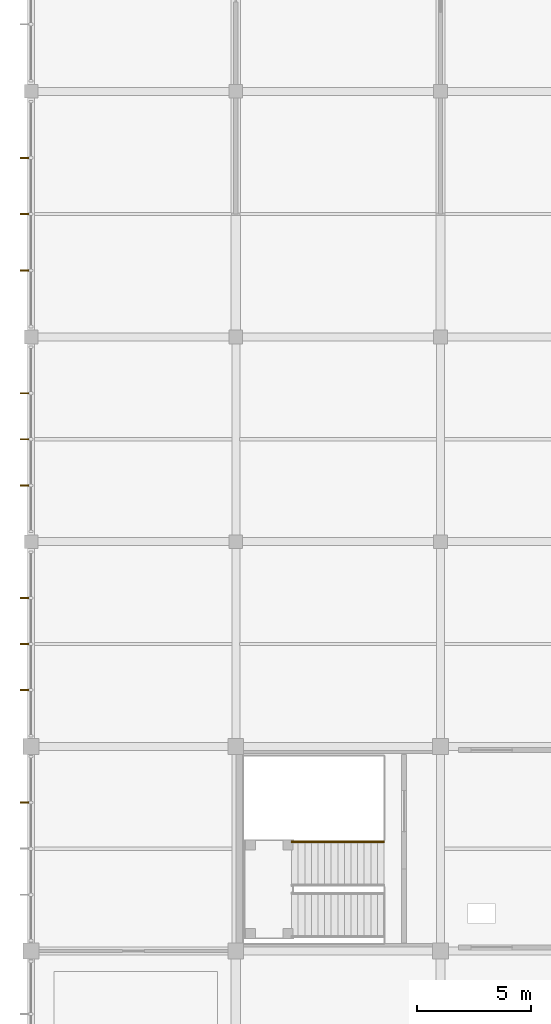
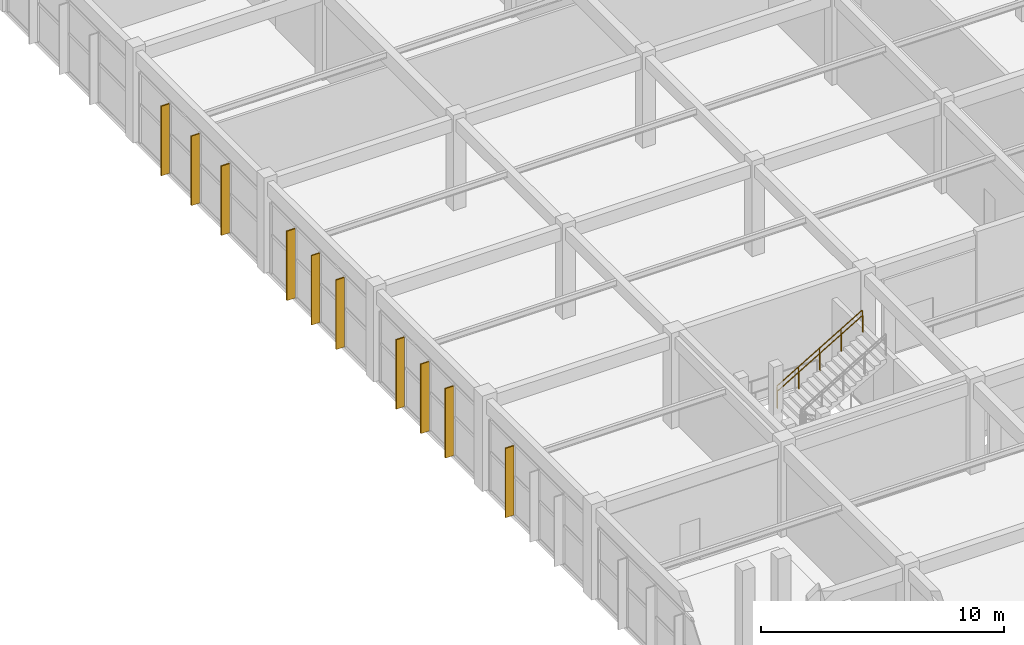
# One storey, part 62 of 74: 10 shading devices, 2 railings.
"""IFC4 building model written with IfcOpenShell, lengths in metres."""

import ifcopenshell
import ifcopenshell.guid

model = None  # the IFC model being written
_history = None  # IfcOwnerHistory: only IFC2X3 demands one
_inside = {}  # id of a spatial element -> (the spatial element, [elements in it])
_under = {}  # id of a project, library or spatial element -> (it, [spatial elements below it])
_declared = {}  # id of a project -> (the project, [libraries it declares])
_typed = {}  # id of a type object -> (the type object, [elements of that type])
_made_of = {}  # id of a material, layer set ... -> (it, [elements and type objects made of it])


def new_model(schema):
    """Start an empty IFC model of exactly this schema.

    Asked for "IFC4X3", IfcOpenShell would pick the latest addendum, in which some entities
    have other attributes; the version numbers below select the first issue.
    IFC2X3 requires an IfcOwnerHistory on every rooted entity: one is made here for all.
    """
    global model, _history
    if schema == "IFC4X3":
        model = ifcopenshell.file(schema_version=(4, 3, 0, 0))
    else:
        model = ifcopenshell.file(schema=schema)
    _inside.clear()
    _under.clear()
    _declared.clear()
    _typed.clear()
    _made_of.clear()
    _history = None
    if model.schema == "IFC2X3":
        org = make("IfcOrganization", Name="unknown")
        user = make(
            "IfcPersonAndOrganization",
            ThePerson=make("IfcPerson", FamilyName="unknown"),
            TheOrganization=org,
        )
        app = make(
            "IfcApplication",
            ApplicationDeveloper=org,
            Version="unknown",
            ApplicationFullName="unknown",
            ApplicationIdentifier="unknown",
        )
        _history = make(
            "IfcOwnerHistory",
            OwningUser=user,
            OwningApplication=app,
            ChangeAction="ADDED",
            CreationDate=0,
        )
    return model


def make(cls, **values):
    """One entity of the class cls with the attributes given. An attribute that is None is left unset."""
    return model.create_entity(
        cls, **{name: value for name, value in values.items() if value is not None}
    )


def rooted(cls, **values):
    """An entity with a GlobalId (a new one), such as an element, a storey or a relation."""
    return make(cls, GlobalId=ifcopenshell.guid.new(), OwnerHistory=_history, **values)


def si_unit(unit_type, name, prefix=None):
    """IfcSIUnit, for example si_unit("LENGTHUNIT", "METRE", prefix="MILLI")."""
    return make("IfcSIUnit", UnitType=unit_type, Prefix=prefix, Name=name)


def assignment(units):
    """IfcUnitAssignment: the units of a project."""
    return None if units is None else make("IfcUnitAssignment", Units=units)


def point(xyz):
    """IfcCartesianPoint."""
    return None if xyz is None else make("IfcCartesianPoint", Coordinates=xyz)


def direction(xyz):
    """IfcDirection."""
    return None if xyz is None else make("IfcDirection", DirectionRatios=xyz)


def frame(location, z_axis=None, x_axis=None):
    """IfcAxis2Placement3D, a coordinate frame: its origin and axes. An axis left out is left unset."""
    return make(
        "IfcAxis2Placement3D",
        Location=point(location),
        Axis=direction(z_axis),
        RefDirection=direction(x_axis),
    )


def frame_2d(location, x_axis=None):
    """IfcAxis2Placement2D, a coordinate frame in the plane: its origin and x axis."""
    return make(
        "IfcAxis2Placement2D", Location=point(location), RefDirection=direction(x_axis)
    )


def origin():
    """The frame at (0, 0, 0) with its axes left unset."""
    return frame((0.0, 0.0, 0.0))


def origin_2d():
    """The frame at (0, 0) in the plane with its x axis left unset."""
    return frame_2d((0.0, 0.0))


def place(relative_to, where):
    """IfcLocalPlacement: puts the frame where relative to a parent placement (None: the world)."""
    return make(
        "IfcLocalPlacement", PlacementRelTo=relative_to, RelativePlacement=where
    )


def context(
    kind, dimensions, precision=None, world=None, true_north=None, identifier=None
):
    """IfcGeometricRepresentationContext, for example the 3D "Model" context."""
    return make(
        "IfcGeometricRepresentationContext",
        ContextIdentifier=identifier,
        ContextType=kind,
        CoordinateSpaceDimension=dimensions,
        Precision=precision,
        WorldCoordinateSystem=world,
        TrueNorth=true_north,
    )


def subcontext(parent, identifier, kind, view, scale=None):
    """IfcGeometricRepresentationSubContext, for example "Body" below "Model"."""
    return make(
        "IfcGeometricRepresentationSubContext",
        ContextIdentifier=identifier,
        ContextType=kind,
        ParentContext=parent,
        TargetScale=scale,
        TargetView=view,
    )


def project(units=None, contexts=None):
    """IfcProject with its units and contexts."""
    return rooted(
        "IfcProject",
        Name="project",
        RepresentationContexts=contexts,
        UnitsInContext=assignment(units),
    )


def spatial(cls, under=None, at=None, **own):
    """A site, building, storey or space (cls), placed at a placement, below another one or the project."""
    s = rooted(cls, ObjectPlacement=at, **own)
    if under is not None:
        _under.setdefault(under.id(), (under, []))[1].append(s)
    return s


def profile(cls, at=None, kind="AREA", **sizes):
    """A parametric profile (cls). Its sizes go by their IFC names, for example OverallWidth=200.0."""
    return make(cls, ProfileType=kind, Position=at, **sizes)


def rectangle(**sizes):
    """IfcRectangleProfileDef."""
    return profile("IfcRectangleProfileDef", **sizes)


def circle(**sizes):
    """IfcCircleProfileDef."""
    return profile("IfcCircleProfileDef", **sizes)


def extrude(swept, where, along, depth):
    """IfcExtrudedAreaSolid: the profile swept, set in the frame where, extruded along a direction by depth."""
    return make(
        "IfcExtrudedAreaSolid",
        SweptArea=swept,
        Position=where,
        ExtrudedDirection=direction(along),
        Depth=depth,
    )


def shape(context_of_items, identifier, shape_type, items):
    """IfcShapeRepresentation: the items that make up one representation, for example the "Body"."""
    return make(
        "IfcShapeRepresentation",
        ContextOfItems=context_of_items,
        RepresentationIdentifier=identifier,
        RepresentationType=shape_type,
        Items=items,
    )


def material(Name=None, Category=None):
    """IfcMaterial."""
    return make("IfcMaterial", Name=Name, Category=Category)


def made_of(thing, what):
    """Note that an element or type object is made of a material, layer set ...; save() writes the relation."""
    if what is not None:
        _made_of.setdefault(what.id(), (what, []))[1].append(thing)
    return thing


def type_object(cls, material=None, **own):
    """A type object (cls), such as IfcWallType, which elements share."""
    return made_of(rooted(cls, **own), material)


def element(
    cls,
    number,
    at=None,
    inside=None,
    cuts=None,
    type_object=None,
    material=None,
    context=None,
    identifier="Body",
    shape_type=None,
    held_by="IfcProductDefinitionShape",
    body=None,
    shapes=None,
    **own,
):
    """One element of the class cls, such as IfcWall. Its Tag is "e" and its number.

    at: its placement. inside: the storey or other place that contains it. cuts: it is an
    opening in that element (IfcRelVoidsElement). A single representation is given by context,
    identifier, shape_type and body (its items); several are given by shapes. held_by: the class
    of the entity that holds the representations. save() writes the other relations.
    """
    e = rooted(cls, Tag="e%d" % number, ObjectPlacement=at, **own)
    if body is not None:
        shapes = [shape(context, identifier, shape_type, body)]
    if shapes is not None:
        e.Representation = make(held_by, Representations=shapes)
    if inside is not None:
        _inside.setdefault(inside.id(), (inside, []))[1].append(e)
    if cuts is not None:
        rooted(
            "IfcRelVoidsElement", RelatingBuildingElement=cuts, RelatedOpeningElement=e
        )
    if type_object is not None:
        _typed.setdefault(type_object.id(), (type_object, []))[1].append(e)
    return made_of(e, material)


def aggregate(whole, parts):
    """IfcRelAggregates: a whole, such as a stair, and the parts it consists of."""
    return rooted("IfcRelAggregates", RelatingObject=whole, RelatedObjects=parts)


def save(model, path):
    """Write the relations noted so far, then the file.

    IfcRelAggregates (storeys below a building ...), IfcRelContainedInSpatialStructure (elements
    in a storey), IfcRelDefinesByType, IfcRelAssociatesMaterial and IfcRelDeclares: one each for
    every whole, place, type object, material and project.
    """
    for whole, parts in _under.values():
        aggregate(whole, parts)
    for where, things in _inside.values():
        rooted(
            "IfcRelContainedInSpatialStructure",
            RelatedElements=things,
            RelatingStructure=where,
        )
    for kind, things in _typed.values():
        rooted("IfcRelDefinesByType", RelatedObjects=things, RelatingType=kind)
    for what, things in _made_of.values():
        rooted("IfcRelAssociatesMaterial", RelatedObjects=things, RelatingMaterial=what)
    for by, libraries in _declared.values():
        rooted("IfcRelDeclares", RelatingContext=by, RelatedDefinitions=libraries)
    model.write(path)


model = new_model("IFC4")

# Units and contexts
model_context = context("Model", 3, precision=1e-05, world=origin(), true_north=direction((0.0, 1.0)))
body_context = subcontext(model_context, "Body", "Model", "MODEL_VIEW")
ifc_project = project(units=[si_unit("LENGTHUNIT", "METRE"), si_unit("AREAUNIT", "SQUARE_METRE"), si_unit("VOLUMEUNIT", "CUBIC_METRE"), si_unit("PLANEANGLEUNIT", "RADIAN"), si_unit("MASSUNIT", "GRAM", prefix="KILO")], contexts=[model_context])

# Site, building, storey
site_placement = place(None, origin())
site = spatial("IfcSite", under=ifc_project, at=site_placement, CompositionType="ELEMENT")
building_placement = place(site_placement, origin())
building = spatial("IfcBuilding", under=site, at=building_placement, Name="Suirenkawa Promenade Aquatics Centre", CompositionType="ELEMENT")
storey_placement = place(building_placement, frame((0.0, 0.0, 4.800048828125)))
storey = spatial("IfcBuildingStorey", under=building, at=storey_placement, Name="L01", CompositionType="ELEMENT", Elevation=4.800048828125)

# Railings
ifc_material_1 = material(Name="Marine-grade stainless steel Grade 316L", Category="steel")
railing_type_1 = type_object("IfcRailingType", Name="RLT-GUARD-1120", PredefinedType="GUARDRAIL", material=ifc_material_1)
railing_1_placement = place(storey_placement, frame((11.455078125, 64.22998046875, 2.39990234375)))
element("IfcRailing", 1, at=railing_1_placement, inside=storey, type_object=railing_type_1, Name="Guardrail GRD-01 RL-0077", PredefinedType="GUARDRAIL", context=body_context, shape_type="SweptSolid", body=[
    extrude(circle(Radius=0.02392578125, at=origin_2d()), frame((0.0, 0.0, 1.09619140625), z_axis=(0.860818299379, 0.0, 0.50891242415), x_axis=(0.0, 1.0, 0.0)), (0.0, 0.0, 1.0), 4.71630859375),
    extrude(circle(Radius=0.02099609375, at=origin_2d()), origin(), (0.0, 0.0, 1.0), 1.072021484375),
    extrude(circle(Radius=0.02099609375, at=origin_2d()), frame((1.014892578125, 0.0, 0.60009765625)), (0.0, 0.0, 1.0), 1.072021484375),
    extrude(circle(Radius=0.02099609375, at=origin_2d()), frame((2.02978515625, 0.0, 1.2001953125)), (0.0, 0.0, 1.0), 1.072021484375),
    extrude(circle(Radius=0.02099609375, at=origin_2d()), frame((3.044921875, 0.0, 1.800048828125)), (0.0, 0.0, 1.0), 1.072021484375),
    extrude(circle(Radius=0.02099609375, at=origin_2d()), frame((4.059814453125, 0.0, 2.400146484375)), (0.0, 0.0, 1.0), 1.072021484375),
])
railing_type_2 = type_object("IfcRailingType", Name="RLT-HANDRAIL-900", PredefinedType="HANDRAIL", material=ifc_material_1)
railing_2_placement = place(storey_placement, frame((11.455078125, 64.179931640625, 2.39990234375)))
element("IfcRailing", 2, at=railing_2_placement, inside=storey, type_object=railing_type_2, Name="Handrail HRL-01 RL-0078", PredefinedType="HANDRAIL", context=body_context, shape_type="SweptSolid", body=[
    extrude(circle(Radius=0.02392578125, at=origin_2d()), frame((0.0, 0.0, 0.8759765625), z_axis=(0.860818299379, 0.0, 0.50891242415), x_axis=(0.0, 1.0, 0.0)), (0.0, 0.0, 1.0), 4.71630859375),
    extrude(circle(Radius=0.02099609375, at=origin_2d()), origin(), (0.0, 0.0, 1.0), 0.851806640625),
    extrude(circle(Radius=0.02099609375, at=origin_2d()), frame((1.014892578125, 0.0, 0.60009765625)), (0.0, 0.0, 1.0), 0.851806640625),
    extrude(circle(Radius=0.02099609375, at=origin_2d()), frame((2.02978515625, 0.0, 1.2001953125)), (0.0, 0.0, 1.0), 0.851806640625),
    extrude(circle(Radius=0.02099609375, at=origin_2d()), frame((3.044921875, 0.0, 1.800048828125)), (0.0, 0.0, 1.0), 0.851806640625),
    extrude(circle(Radius=0.02099609375, at=origin_2d()), frame((4.059814453125, 0.0, 2.400146484375)), (0.0, 0.0, 1.0), 0.851806640625),
])

# Shading devices
ifc_material_2 = material(Name="Anodised aluminium 6063-T6", Category="aluminium")
shading_device_type = type_object("IfcShadingDeviceType", Name="SDT-KOUSHI-400", PredefinedType="USERDEFINED", material=ifc_material_2)
for number, where, z_axis, x_axis, name in (
    (3, (-0.287109375, 65.925537109375, 0.0400390625), (0.0, 0.0, 1.0), (-1.0, 0.0, 0.0), "Vertical solar shading fin FN-01 FIN-0120"),
    (4, (-0.287109375, 70.87451171875, 0.0400390625), (0.0, 0.0, 1.0), (-1.0, 0.0, 0.0), "Vertical solar shading fin FN-01 FIN-0121"),
    (5, (-0.287109375, 72.89990234375, 0.0400390625), (0.0, 0.0, 1.0), (-1.0, 0.0, 0.0), "Vertical solar shading fin FN-01 FIN-0122"),
    (6, (-0.287109375, 74.925537109375, 0.0400390625), (0.0, 0.0, 1.0), (-1.0, 0.0, 0.0), "Vertical solar shading fin FN-01 FIN-0123"),
    (7, (-0.287109375, 79.87451171875, 0.0400390625), (0.0, 0.0, 1.0), (-1.0, 0.0, 0.0), "Vertical solar shading fin FN-01 FIN-0127"),
    (8, (-0.287109375, 81.89990234375, 0.0400390625), (0.0, 0.0, 1.0), (-1.0, 0.0, 0.0), "Vertical solar shading fin FN-01 FIN-0128"),
    (9, (-0.287109375, 83.925537109375, 0.0400390625), (0.0, 0.0, 1.0), (-1.0, 0.0, 0.0), "Vertical solar shading fin FN-01 FIN-0129"),
    (10, (-0.287109375, 89.324462890625, 0.0400390625), (0.0, 0.0, 1.0), (-1.0, 0.0, 0.0), "Vertical solar shading fin FN-01 FIN-0130"),
    (11, (-0.287109375, 91.800048828125, 0.0400390625), (0.0, 0.0, 1.0), (-1.0, 0.0, 0.0), "Vertical solar shading fin FN-01 FIN-0131"),
    (12, (-0.287109375, 94.275390625, 0.0400390625), (0.0, 0.0, 1.0), (-1.0, 0.0, 0.0), "Vertical solar shading fin FN-01 FIN-0132"),
):
    element("IfcShadingDevice", number, at=place(storey_placement, frame(where, z_axis=z_axis, x_axis=x_axis)), inside=storey, type_object=shading_device_type, Name=name, ObjectType="FIN", PredefinedType="USERDEFINED", context=body_context, shape_type="SweptSolid", body=[
        extrude(rectangle(XDim=0.39990234375, YDim=0.06005859375, at=origin_2d()), origin(), (0.0, 0.0, 1.0), 3.489990234375),
    ])

save(model, "model.ifc")
